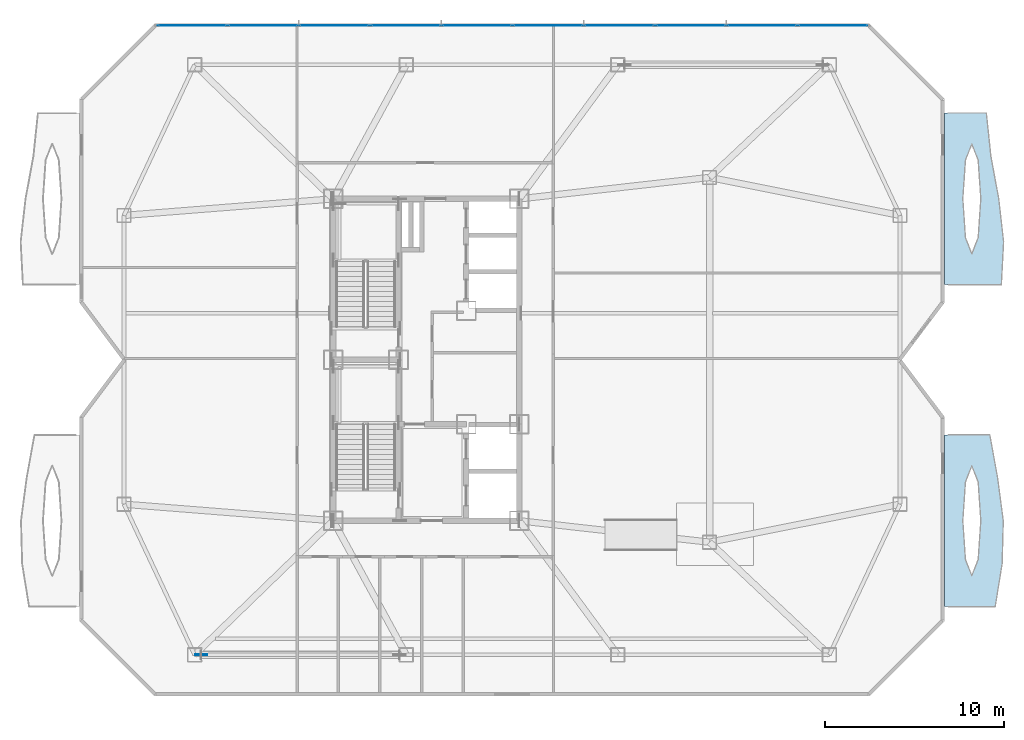
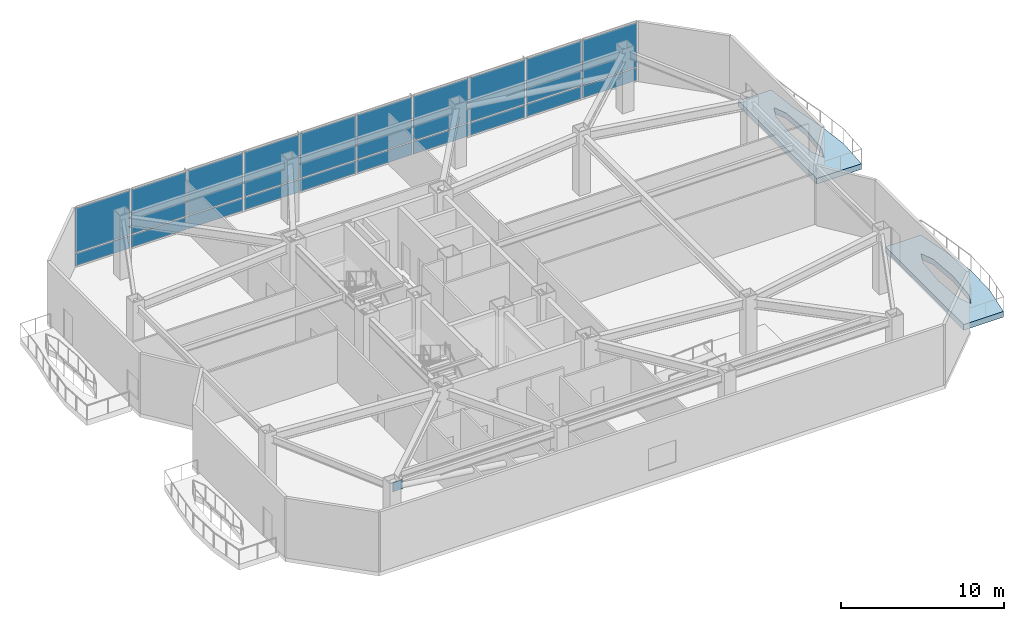
# One storey, part 7 of 16: 21 plates, 2 slabs, 1 element without a shape of its own.
"""IFC4 building model written with IfcOpenShell, lengths in metres."""

from ifc_helpers import new_model, si_unit, direction, frame, origin, origin_2d, place, context, subcontext, project, spatial, polyline, rectangle, outline, extrude, material, layer, layer_set, type_object, element, aggregate, save


model = new_model("IFC4")

# Units and contexts
model_context = context("Model", 3, precision=1e-05, world=origin(), true_north=direction((0.0, 1.0)))
body_context = subcontext(model_context, "Body", "Model", "MODEL_VIEW")
ifc_project = project(units=[si_unit("LENGTHUNIT", "METRE"), si_unit("AREAUNIT", "SQUARE_METRE"), si_unit("VOLUMEUNIT", "CUBIC_METRE"), si_unit("PLANEANGLEUNIT", "RADIAN"), si_unit("MASSUNIT", "GRAM", prefix="KILO")], contexts=[model_context])

# Site, building, storey
site_placement = place(None, origin())
site = spatial("IfcSite", under=ifc_project, at=site_placement, CompositionType="ELEMENT")
building_placement = place(site_placement, origin())
building = spatial("IfcBuilding", under=site, at=building_placement, Name="Khamvora Tower", CompositionType="ELEMENT")
storey_placement = place(building_placement, frame((0.0, 0.0, 207.0)))
storey = spatial("IfcBuildingStorey", under=building, at=storey_placement, Name="L53", CompositionType="ELEMENT", Elevation=207.0)

# Curtain wall, plates
ifc_material_1 = material(Name="Anodised Aluminium 6063-T6", Category="aluminium")
curtain_wall_type = type_object("IfcCurtainWallType", Name="CW-SYS-06", PredefinedType="NOTDEFINED", material=ifc_material_1)
curtain_wall_placement = place(storey_placement, origin())
curtain_wall = element("IfcCurtainWall", 1, at=curtain_wall_placement, inside=storey, type_object=curtain_wall_type, Name="L53 stick curtain wall 07.1", PredefinedType="NOTDEFINED")
ifc_material_2 = material(Name="Low-E Laminated Double Glazing", Category="glass")
ifc_layer_1 = layer(ifc_material_2, 0.0380859375)
ifc_layer_set_1 = layer_set([ifc_layer_1], Name="Low-E Laminated Double Glazing")
plate_type_1 = type_object("IfcPlateType", Name="CW-SYS-06-PNL", PredefinedType="CURTAIN_PANEL", material=ifc_layer_set_1)
plate_1_placement = place(storey_placement, frame((21.11474609375, 46.699951171875, 0.080078125), z_axis=(0.0, 0.0, 1.0), x_axis=(1.0, 0.0, 0.0)))
plate_1 = element("IfcPlate", 2, at=plate_1_placement, type_object=plate_type_1, Name="CW-06 panel 1.1", PredefinedType="CURTAIN_PANEL", context=body_context, shape_type="SweptSolid", body=[
    extrude(rectangle(XDim=3.86572265625, YDim=0.0380859375, at=origin_2d()), origin(), (0.0, 0.0, 1.0), 0.929931640625),
])
plate_2_placement = place(storey_placement, frame((21.11474609375, 46.699951171875, 1.090087890625), z_axis=(0.0, 0.0, 1.0), x_axis=(1.0, 0.0, 0.0)))
plate_2 = element("IfcPlate", 3, at=plate_2_placement, type_object=plate_type_1, Name="CW-06 panel 1.2", PredefinedType="CURTAIN_PANEL", context=body_context, shape_type="SweptSolid", body=[
    extrude(rectangle(XDim=3.86572265625, YDim=0.0380859375, at=origin_2d()), origin(), (0.0, 0.0, 1.0), 3.31005859375),
])
plate_3_placement = place(storey_placement, frame((25.08056640625, 46.699951171875, 0.080078125), z_axis=(0.0, 0.0, 1.0), x_axis=(1.0, 0.0, 0.0)))
plate_3 = element("IfcPlate", 4, at=plate_3_placement, type_object=plate_type_1, Name="CW-06 panel 2.1", PredefinedType="CURTAIN_PANEL", context=body_context, shape_type="SweptSolid", body=[
    extrude(rectangle(XDim=3.90576171875, YDim=0.0380859375, at=origin_2d()), origin(), (0.0, 0.0, 1.0), 0.929931640625),
])
plate_4_placement = place(storey_placement, frame((25.08056640625, 46.699951171875, 1.090087890625), z_axis=(0.0, 0.0, 1.0), x_axis=(1.0, 0.0, 0.0)))
plate_4 = element("IfcPlate", 5, at=plate_4_placement, type_object=plate_type_1, Name="CW-06 panel 2.2", PredefinedType="CURTAIN_PANEL", context=body_context, shape_type="SweptSolid", body=[
    extrude(rectangle(XDim=3.90576171875, YDim=0.0380859375, at=origin_2d()), origin(), (0.0, 0.0, 1.0), 3.31005859375),
])
plate_5_placement = place(storey_placement, frame((29.066162109375, 46.699951171875, 0.080078125), z_axis=(0.0, 0.0, 1.0), x_axis=(1.0, 0.0, 0.0)))
plate_5 = element("IfcPlate", 6, at=plate_5_placement, type_object=plate_type_1, Name="CW-06 panel 3.1", PredefinedType="CURTAIN_PANEL", context=body_context, shape_type="SweptSolid", body=[
    extrude(rectangle(XDim=3.90576171875, YDim=0.0380859375, at=origin_2d()), origin(), (0.0, 0.0, 1.0), 0.929931640625),
])
plate_6_placement = place(storey_placement, frame((29.066162109375, 46.699951171875, 1.090087890625), z_axis=(0.0, 0.0, 1.0), x_axis=(1.0, 0.0, 0.0)))
plate_6 = element("IfcPlate", 7, at=plate_6_placement, type_object=plate_type_1, Name="CW-06 panel 3.2", PredefinedType="CURTAIN_PANEL", context=body_context, shape_type="SweptSolid", body=[
    extrude(rectangle(XDim=3.90576171875, YDim=0.0380859375, at=origin_2d()), origin(), (0.0, 0.0, 1.0), 3.31005859375),
])
plate_7_placement = place(storey_placement, frame((33.052001953125, 46.699951171875, 0.080078125), z_axis=(0.0, 0.0, 1.0), x_axis=(1.0, 0.0, 0.0)))
plate_7 = element("IfcPlate", 8, at=plate_7_placement, type_object=plate_type_1, Name="CW-06 panel 4.1", PredefinedType="CURTAIN_PANEL", context=body_context, shape_type="SweptSolid", body=[
    extrude(rectangle(XDim=3.90576171875, YDim=0.0380859375, at=origin_2d()), origin(), (0.0, 0.0, 1.0), 0.929931640625),
])
plate_8_placement = place(storey_placement, frame((33.052001953125, 46.699951171875, 1.090087890625), z_axis=(0.0, 0.0, 1.0), x_axis=(1.0, 0.0, 0.0)))
plate_8 = element("IfcPlate", 9, at=plate_8_placement, type_object=plate_type_1, Name="CW-06 panel 4.2", PredefinedType="CURTAIN_PANEL", context=body_context, shape_type="SweptSolid", body=[
    extrude(rectangle(XDim=3.90576171875, YDim=0.0380859375, at=origin_2d()), origin(), (0.0, 0.0, 1.0), 3.31005859375),
])
plate_9_placement = place(storey_placement, frame((37.03759765625, 46.699951171875, 0.080078125), z_axis=(0.0, 0.0, 1.0), x_axis=(1.0, 0.0, 0.0)))
plate_9 = element("IfcPlate", 10, at=plate_9_placement, type_object=plate_type_1, Name="CW-06 panel 5.1", PredefinedType="CURTAIN_PANEL", context=body_context, shape_type="SweptSolid", body=[
    extrude(rectangle(XDim=3.90576171875, YDim=0.0380859375, at=origin_2d()), origin(), (0.0, 0.0, 1.0), 0.929931640625),
])
plate_10_placement = place(storey_placement, frame((37.03759765625, 46.699951171875, 1.090087890625), z_axis=(0.0, 0.0, 1.0), x_axis=(1.0, 0.0, 0.0)))
plate_10 = element("IfcPlate", 11, at=plate_10_placement, type_object=plate_type_1, Name="CW-06 panel 5.2", PredefinedType="CURTAIN_PANEL", context=body_context, shape_type="SweptSolid", body=[
    extrude(rectangle(XDim=3.90576171875, YDim=0.0380859375, at=origin_2d()), origin(), (0.0, 0.0, 1.0), 3.31005859375),
])
plate_11_placement = place(storey_placement, frame((41.0234375, 46.699951171875, 0.080078125), z_axis=(0.0, 0.0, 1.0), x_axis=(1.0, 0.0, 0.0)))
plate_11 = element("IfcPlate", 12, at=plate_11_placement, type_object=plate_type_1, Name="CW-06 panel 6.1", PredefinedType="CURTAIN_PANEL", context=body_context, shape_type="SweptSolid", body=[
    extrude(rectangle(XDim=3.90576171875, YDim=0.0380859375, at=origin_2d()), origin(), (0.0, 0.0, 1.0), 0.929931640625),
])
plate_12_placement = place(storey_placement, frame((41.0234375, 46.699951171875, 1.090087890625), z_axis=(0.0, 0.0, 1.0), x_axis=(1.0, 0.0, 0.0)))
plate_12 = element("IfcPlate", 13, at=plate_12_placement, type_object=plate_type_1, Name="CW-06 panel 6.2", PredefinedType="CURTAIN_PANEL", context=body_context, shape_type="SweptSolid", body=[
    extrude(rectangle(XDim=3.90576171875, YDim=0.0380859375, at=origin_2d()), origin(), (0.0, 0.0, 1.0), 3.31005859375),
])
plate_13_placement = place(storey_placement, frame((45.009033203125, 46.699951171875, 0.080078125), z_axis=(0.0, 0.0, 1.0), x_axis=(1.0, 0.0, 0.0)))
plate_13 = element("IfcPlate", 14, at=plate_13_placement, type_object=plate_type_1, Name="CW-06 panel 7.1", PredefinedType="CURTAIN_PANEL", context=body_context, shape_type="SweptSolid", body=[
    extrude(rectangle(XDim=3.90576171875, YDim=0.0380859375, at=origin_2d()), origin(), (0.0, 0.0, 1.0), 0.929931640625),
])
plate_14_placement = place(storey_placement, frame((45.009033203125, 46.699951171875, 1.090087890625), z_axis=(0.0, 0.0, 1.0), x_axis=(1.0, 0.0, 0.0)))
plate_14 = element("IfcPlate", 15, at=plate_14_placement, type_object=plate_type_1, Name="CW-06 panel 7.2", PredefinedType="CURTAIN_PANEL", context=body_context, shape_type="SweptSolid", body=[
    extrude(rectangle(XDim=3.90576171875, YDim=0.0380859375, at=origin_2d()), origin(), (0.0, 0.0, 1.0), 3.31005859375),
])
plate_15_placement = place(storey_placement, frame((48.99462890625, 46.699951171875, 0.080078125), z_axis=(0.0, 0.0, 1.0), x_axis=(1.0, 0.0, 0.0)))
plate_15 = element("IfcPlate", 16, at=plate_15_placement, type_object=plate_type_1, Name="CW-06 panel 8.1", PredefinedType="CURTAIN_PANEL", context=body_context, shape_type="SweptSolid", body=[
    extrude(rectangle(XDim=3.90576171875, YDim=0.0380859375, at=origin_2d()), origin(), (0.0, 0.0, 1.0), 0.929931640625),
])
plate_16_placement = place(storey_placement, frame((48.99462890625, 46.699951171875, 1.090087890625), z_axis=(0.0, 0.0, 1.0), x_axis=(1.0, 0.0, 0.0)))
plate_16 = element("IfcPlate", 17, at=plate_16_placement, type_object=plate_type_1, Name="CW-06 panel 8.2", PredefinedType="CURTAIN_PANEL", context=body_context, shape_type="SweptSolid", body=[
    extrude(rectangle(XDim=3.90576171875, YDim=0.0380859375, at=origin_2d()), origin(), (0.0, 0.0, 1.0), 3.31005859375),
])
plate_17_placement = place(storey_placement, frame((52.98046875, 46.699951171875, 0.080078125), z_axis=(0.0, 0.0, 1.0), x_axis=(1.0, 0.0, 0.0)))
plate_17 = element("IfcPlate", 18, at=plate_17_placement, type_object=plate_type_1, Name="CW-06 panel 9.1", PredefinedType="CURTAIN_PANEL", context=body_context, shape_type="SweptSolid", body=[
    extrude(rectangle(XDim=3.90576171875, YDim=0.0380859375, at=origin_2d()), origin(), (0.0, 0.0, 1.0), 0.929931640625),
])
plate_18_placement = place(storey_placement, frame((52.98046875, 46.699951171875, 1.090087890625), z_axis=(0.0, 0.0, 1.0), x_axis=(1.0, 0.0, 0.0)))
plate_18 = element("IfcPlate", 19, at=plate_18_placement, type_object=plate_type_1, Name="CW-06 panel 9.2", PredefinedType="CURTAIN_PANEL", context=body_context, shape_type="SweptSolid", body=[
    extrude(rectangle(XDim=3.90576171875, YDim=0.0380859375, at=origin_2d()), origin(), (0.0, 0.0, 1.0), 3.31005859375),
])
plate_19_placement = place(storey_placement, frame((56.946044921875, 46.699951171875, 0.080078125), z_axis=(0.0, 0.0, 1.0), x_axis=(1.0, 0.0, 0.0)))
plate_19 = element("IfcPlate", 20, at=plate_19_placement, type_object=plate_type_1, Name="CW-06 panel 10.1", PredefinedType="CURTAIN_PANEL", context=body_context, shape_type="SweptSolid", body=[
    extrude(rectangle(XDim=3.86572265625, YDim=0.0380859375, at=origin_2d()), origin(), (0.0, 0.0, 1.0), 0.929931640625),
])
plate_20_placement = place(storey_placement, frame((56.946044921875, 46.699951171875, 1.090087890625), z_axis=(0.0, 0.0, 1.0), x_axis=(1.0, 0.0, 0.0)))
plate_20 = element("IfcPlate", 21, at=plate_20_placement, type_object=plate_type_1, Name="CW-06 panel 10.2", PredefinedType="CURTAIN_PANEL", context=body_context, shape_type="SweptSolid", body=[
    extrude(rectangle(XDim=3.86572265625, YDim=0.0380859375, at=origin_2d()), origin(), (0.0, 0.0, 1.0), 3.31005859375),
])
aggregate(curtain_wall, [plate_1, plate_2, plate_3, plate_4, plate_5, plate_6, plate_7, plate_8, plate_9, plate_10, plate_11, plate_12, plate_13, plate_14, plate_15, plate_16, plate_17, plate_18, plate_19, plate_20])

# Plate
ifc_material_3 = material(Name="Steel S460", Category="steel")
ifc_layer_2 = layer(ifc_material_3, 0.0400390625)
ifc_layer_set_2 = layer_set([ifc_layer_2], Name="Steel S460")
plate_type_2 = type_object("IfcPlateType", Name="PLT-GUS-40", PredefinedType="SHEET", material=ifc_layer_set_2)
plate_21_placement = place(storey_placement, frame((21.626953125, 11.5, 3.82421875), z_axis=(0.0, 0.0, 1.0), x_axis=(1.0, 0.0, 0.0)))
element("IfcPlate", 22, at=plate_21_placement, inside=storey, type_object=plate_type_2, Name="L53 brace connection node gusset plate 0330", PredefinedType="SHEET", context=body_context, shape_type="SweptSolid", body=[
    extrude(rectangle(XDim=0.679931640625, YDim=0.0400390625, at=origin_2d()), origin(), (0.0, 0.0, 1.0), 0.679931640625),
])

# Slabs
ifc_material_4 = material(Name="Concrete C40/50", Category="concrete")
ifc_layer_3 = layer(ifc_material_4, 0.419921875)
ifc_layer_set_3 = layer_set([ifc_layer_3], Name="Concrete C40/50")
slab_type = type_object("IfcSlabType", Name="SLB-GRD-420", PredefinedType="FLOOR", material=ifc_layer_set_3)
slab_1_placement = place(storey_placement, frame((0.0, 0.0, -0.419921875)))
element("IfcSlab", 23, at=slab_1_placement, inside=storey, type_object=slab_type, Name="L53 external lens gallery slab EL1", PredefinedType="FLOOR", context=body_context, shape_type="SweptSolid", body=[
    extrude(outline(polyline([(66.02001953125, 14.199951171875), (66.410888671875, 16.60009765625), (66.47412109375, 19.0), (66.156005859375, 21.39990234375), (65.719970703125, 23.800048828125), (63.199951171875, 23.800048828125), (63.199951171875, 14.199951171875), (66.02001953125, 14.199951171875)]), holes=[polyline([(65.218994140625, 19.0), (65.071044921875, 21.172119140625), (64.715087890625, 22.072021484375), (64.35888671875, 21.172119140625), (64.2109375, 19.0), (64.35888671875, 16.827880859375), (64.715087890625, 15.927978515625), (65.071044921875, 16.827880859375), (65.218994140625, 19.0)])]), origin(), (0.0, 0.0, 1.0), 0.419921875),
])
slab_2_placement = place(storey_placement, frame((0.0, 0.0, -0.419921875)))
element("IfcSlab", 24, at=slab_2_placement, inside=storey, type_object=slab_type, Name="L53 external lens gallery slab EL2", PredefinedType="FLOOR", context=body_context, shape_type="SweptSolid", body=[
    extrude(outline(polyline([(66.366943359375, 32.199951171875), (66.491943359375, 34.60009765625), (66.220947265625, 37.0), (65.779052734375, 39.39990234375), (65.529052734375, 41.800048828125), (63.199951171875, 41.800048828125), (63.199951171875, 32.199951171875), (66.366943359375, 32.199951171875)]), holes=[polyline([(65.218994140625, 37.0), (65.071044921875, 39.172119140625), (64.715087890625, 40.072021484375), (64.35888671875, 39.172119140625), (64.2109375, 37.0), (64.35888671875, 34.827880859375), (64.715087890625, 33.927978515625), (65.071044921875, 34.827880859375), (65.218994140625, 37.0)])]), origin(), (0.0, 0.0, 1.0), 0.419921875),
])

save(model, "model.ifc")
